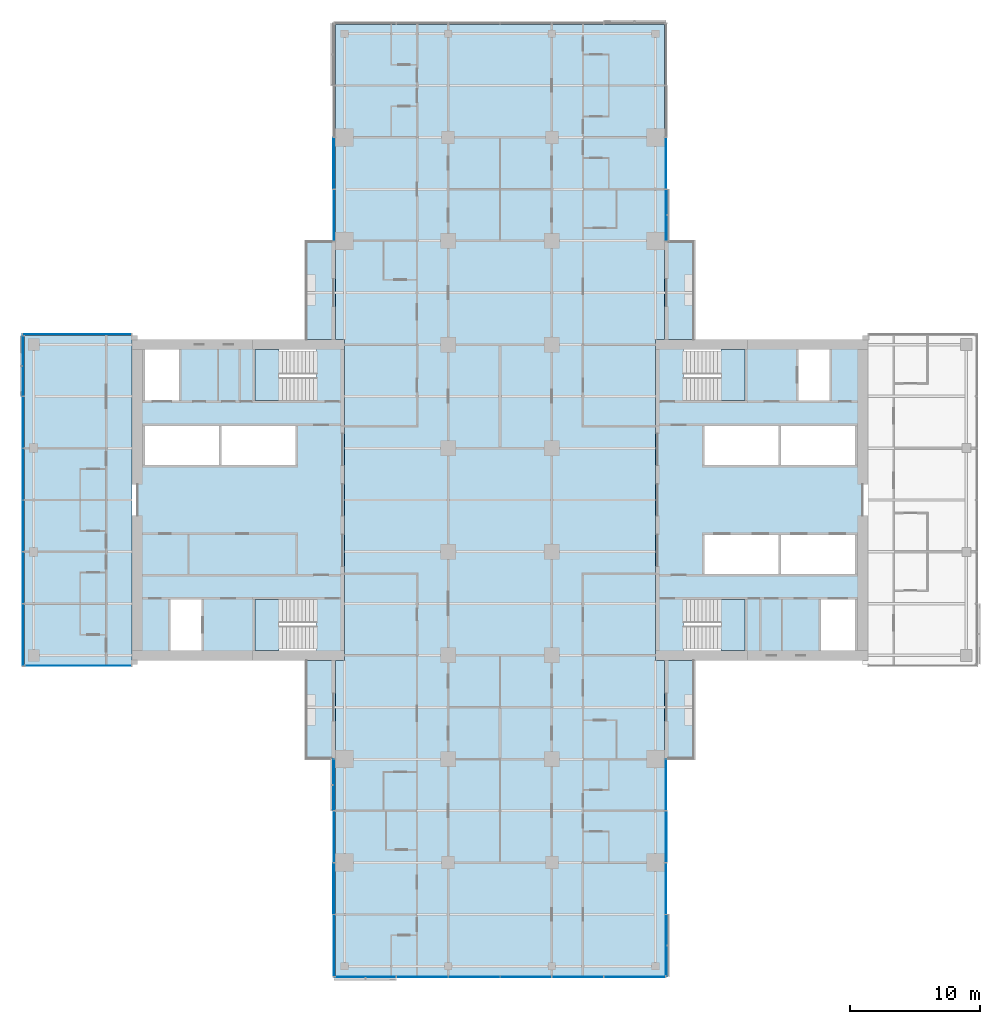
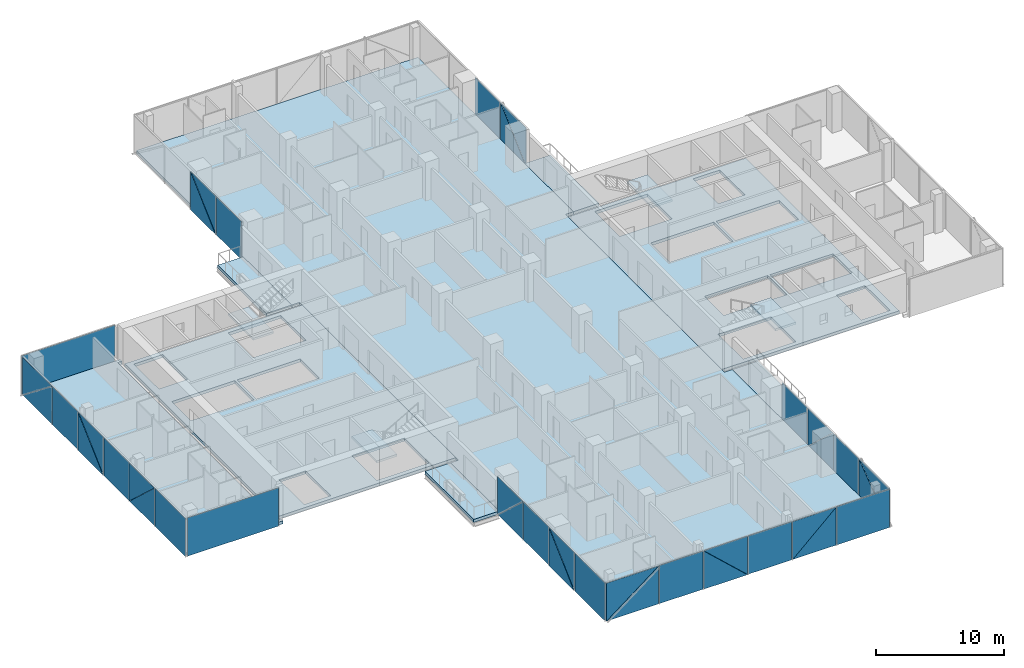
# One storey, part 13 of 27: 38 plates, 12 slabs, 12 elements without a shape of their own.
"""IFC4 building model written with IfcOpenShell, lengths in metres."""

from ifc_helpers import new_model, si_unit, direction, frame, origin, place, context, subcontext, project, spatial, polyline, outline, extrude, material, layer, layer_set, type_object, element, aggregate, save


model = new_model("IFC4")

# Units and contexts
model_context = context("Model", 3, precision=1e-05, world=origin(), true_north=direction((0.0, 1.0)))
body_context = subcontext(model_context, "Body", "Model", "MODEL_VIEW")
ifc_project = project(units=[si_unit("LENGTHUNIT", "METRE"), si_unit("AREAUNIT", "SQUARE_METRE"), si_unit("VOLUMEUNIT", "CUBIC_METRE"), si_unit("PLANEANGLEUNIT", "RADIAN"), si_unit("MASSUNIT", "GRAM", prefix="KILO")], contexts=[model_context])

# Site, building, storey
site_placement = place(None, origin())
site = spatial("IfcSite", under=ifc_project, at=site_placement, CompositionType="ELEMENT")
building_placement = place(site_placement, origin())
building = spatial("IfcBuilding", under=site, at=building_placement, Name="Crosswind Convention Tower", CompositionType="ELEMENT")
storey_placement = place(building_placement, frame((0.0, 0.0, 79.39990234375)))
storey = spatial("IfcBuildingStorey", under=building, at=storey_placement, Name="L14", CompositionType="ELEMENT", Elevation=79.39990234375)

# Slabs
ifc_material_1 = material(Name="Concrete C40/50", Category="concrete")
ifc_layer_1 = layer(ifc_material_1, 0.280029296875)
ifc_layer_set_1 = layer_set([ifc_layer_1], Name="Concrete C40/50")
slab_type_1 = type_object("IfcSlabType", Name="BALCONY SLAB 280", PredefinedType="USERDEFINED", material=ifc_layer_set_1)
slab_1_placement = place(storey_placement, frame((0.0, 0.0, -0.27978515625)))
element("IfcSlab", 1, at=slab_1_placement, inside=storey, type_object=slab_type_1, Name="BALCONY L14 N-E.1-1", ObjectType="BALCONY", PredefinedType="USERDEFINED", context=body_context, shape_type="SweptSolid", body=[
    extrude(outline(polyline([(137.699951171875, 112.39990234375), (137.699951171875, 120.0), (140.0, 120.0), (140.0, 112.39990234375), (137.699951171875, 112.39990234375)])), origin(), (0.0, 0.0, 1.0), 0.27978515625),
])
slab_2_placement = place(storey_placement, frame((0.0, 0.0, -0.27978515625)))
element("IfcSlab", 2, at=slab_2_placement, inside=storey, type_object=slab_type_1, Name="BALCONY L14 N-W.1-3", ObjectType="BALCONY", PredefinedType="USERDEFINED", context=body_context, shape_type="SweptSolid", body=[
    extrude(outline(polyline([(112.300048828125, 120.0), (112.300048828125, 112.39990234375), (110.0, 112.39990234375), (110.0, 120.0), (112.300048828125, 120.0)])), origin(), (0.0, 0.0, 1.0), 0.27978515625),
])
slab_3_placement = place(storey_placement, frame((0.0, 0.0, -0.27978515625)))
element("IfcSlab", 3, at=slab_3_placement, inside=storey, type_object=slab_type_1, Name="BALCONY L14 S-W.1-1", ObjectType="BALCONY", PredefinedType="USERDEFINED", context=body_context, shape_type="SweptSolid", body=[
    extrude(outline(polyline([(112.300048828125, 87.60009765625), (112.300048828125, 80.0), (110.0, 80.0), (110.0, 87.60009765625), (112.300048828125, 87.60009765625)])), origin(), (0.0, 0.0, 1.0), 0.27978515625),
])
slab_4_placement = place(storey_placement, frame((0.0, 0.0, -0.27978515625)))
element("IfcSlab", 4, at=slab_4_placement, inside=storey, type_object=slab_type_1, Name="BALCONY L14 S-E.1-3", ObjectType="BALCONY", PredefinedType="USERDEFINED", context=body_context, shape_type="SweptSolid", body=[
    extrude(outline(polyline([(137.699951171875, 80.0), (137.699951171875, 87.60009765625), (140.0, 87.60009765625), (140.0, 80.0), (137.699951171875, 80.0)])), origin(), (0.0, 0.0, 1.0), 0.27978515625),
])
ifc_layer_2 = layer(ifc_material_1, 0.280029296875)
ifc_layer_set_2 = layer_set([ifc_layer_2], Name="Concrete C40/50")
slab_type_2 = type_object("IfcSlabType", Name="Composite floor slab 280", PredefinedType="FLOOR", material=ifc_layer_set_2)
slab_5_placement = place(storey_placement, frame((0.0, 0.0, -0.27978515625)))
element("IfcSlab", 5, at=slab_5_placement, inside=storey, type_object=slab_type_2, Name="Floor slab L14 part 1", PredefinedType="FLOOR", context=body_context, shape_type="SweptSolid", body=[
    extrude(outline(polyline([(97.0, 87.300048828125), (89.0, 87.300048828125), (88.300048828125, 87.300048828125), (88.300048828125, 88.0), (88.300048828125, 112.0), (88.300048828125, 112.699951171875), (89.0, 112.699951171875), (97.0, 112.699951171875), (97.0, 112.39990234375), (96.60009765625, 112.39990234375), (96.60009765625, 87.60009765625), (97.0, 87.60009765625), (97.0, 87.300048828125)])), origin(), (0.0, 0.0, 1.0), 0.27978515625),
])
slab_6_placement = place(storey_placement, frame((0.0, 0.0, -0.27978515625)))
element("IfcSlab", 6, at=slab_6_placement, inside=storey, type_object=slab_type_2, Name="Floor slab L14 part 2", PredefinedType="FLOOR", context=body_context, shape_type="SweptSolid", body=[
    extrude(outline(polyline([(112.300048828125, 87.60009765625), (113.0, 87.60009765625), (113.0, 112.39990234375), (112.300048828125, 112.39990234375), (112.300048828125, 136.0), (112.300048828125, 136.699951171875), (113.0, 136.699951171875), (137.0, 136.699951171875), (137.699951171875, 136.699951171875), (137.699951171875, 136.0), (137.699951171875, 112.39990234375), (137.0, 112.39990234375), (137.0, 87.60009765625), (137.699951171875, 87.60009765625), (137.699951171875, 64.0), (137.699951171875, 63.300048828125), (137.0, 63.300048828125), (113.0, 63.300048828125), (112.300048828125, 63.300048828125), (112.300048828125, 64.0), (112.300048828125, 87.60009765625)])), origin(), (0.0, 0.0, 1.0), 0.27978515625),
])
ifc_layer_3 = layer(ifc_material_1, 0.280029296875)
ifc_layer_set_3 = layer_set([ifc_layer_3], Name="Concrete C40/50")
slab_type_3 = type_object("IfcSlabType", Name="Concrete core floor slab 280", PredefinedType="FLOOR", material=ifc_layer_set_3)
slab_7_placement = place(storey_placement, frame((0.0, 0.0, -0.27978515625)))
element("IfcSlab", 7, at=slab_7_placement, inside=storey, type_object=slab_type_3, Name="Core floor slab E L14", PredefinedType="FLOOR", context=body_context, shape_type="SweptSolid", body=[
    extrude(outline(polyline([(137.0, 88.0), (153.0, 88.0), (153.0, 112.0), (137.0, 112.0), (137.0, 88.0)]), holes=[polyline([(146.5, 102.699951171875), (146.5, 105.699951171875), (140.800048828125, 105.699951171875), (140.800048828125, 102.699951171875), (146.5, 102.699951171875)]), polyline([(152.39990234375, 102.699951171875), (152.39990234375, 105.699951171875), (146.699951171875, 105.699951171875), (146.699951171875, 102.699951171875), (152.39990234375, 102.699951171875)]), polyline([(146.5, 94.300048828125), (146.5, 97.300048828125), (140.800048828125, 97.300048828125), (140.800048828125, 94.300048828125), (146.5, 94.300048828125)]), polyline([(152.39990234375, 94.300048828125), (152.39990234375, 97.300048828125), (146.699951171875, 97.300048828125), (146.699951171875, 94.300048828125), (152.39990234375, 94.300048828125)]), polyline([(150.449951171875, 107.699951171875), (150.449951171875, 111.60009765625), (148.050048828125, 111.60009765625), (148.050048828125, 107.699951171875), (150.449951171875, 107.699951171875)]), polyline([(152.39990234375, 88.39990234375), (152.39990234375, 92.300048828125), (149.800048828125, 92.300048828125), (149.800048828125, 88.39990234375), (152.39990234375, 88.39990234375)]), polyline([(143.89990234375, 107.699951171875), (143.89990234375, 111.60009765625), (139.14990234375, 111.60009765625), (139.14990234375, 107.699951171875), (143.89990234375, 107.699951171875)]), polyline([(143.89990234375, 88.39990234375), (143.89990234375, 92.300048828125), (139.14990234375, 92.300048828125), (139.14990234375, 88.39990234375), (143.89990234375, 88.39990234375)])]), origin(), (0.0, 0.0, 1.0), 0.27978515625),
])
slab_8_placement = place(storey_placement, frame((0.0, 0.0, -0.27978515625)))
element("IfcSlab", 8, at=slab_8_placement, inside=storey, type_object=slab_type_3, Name="Core floor slab W L14", PredefinedType="FLOOR", context=body_context, shape_type="SweptSolid", body=[
    extrude(outline(polyline([(97.0, 88.0), (113.0, 88.0), (113.0, 112.0), (97.0, 112.0), (97.0, 88.0)]), holes=[polyline([(109.199951171875, 102.699951171875), (109.199951171875, 105.699951171875), (103.5, 105.699951171875), (103.5, 102.699951171875), (109.199951171875, 102.699951171875)]), polyline([(103.300048828125, 102.699951171875), (103.300048828125, 105.699951171875), (97.60009765625, 105.699951171875), (97.60009765625, 102.699951171875), (103.300048828125, 102.699951171875)]), polyline([(101.949951171875, 88.39990234375), (101.949951171875, 92.300048828125), (99.550048828125, 92.300048828125), (99.550048828125, 88.39990234375), (101.949951171875, 88.39990234375)]), polyline([(100.199951171875, 107.699951171875), (100.199951171875, 111.60009765625), (97.60009765625, 111.60009765625), (97.60009765625, 107.699951171875), (100.199951171875, 107.699951171875)]), polyline([(110.85009765625, 88.39990234375), (110.85009765625, 92.300048828125), (106.10009765625, 92.300048828125), (106.10009765625, 88.39990234375), (110.85009765625, 88.39990234375)]), polyline([(110.85009765625, 107.699951171875), (110.85009765625, 111.60009765625), (106.10009765625, 111.60009765625), (106.10009765625, 107.699951171875), (110.85009765625, 107.699951171875)])]), origin(), (0.0, 0.0, 1.0), 0.27978515625),
])

# Stair, slab
stair_type = type_object("IfcStairType", Name="Exit stair 1800 wide, 2 flights of 11 risers", PredefinedType="HALF_TURN_STAIR", material=ifc_material_1)
stair_1_placement = place(storey_placement, origin())
stair_1 = element("IfcStair", 9, at=stair_1_placement, inside=storey, type_object=stair_type, Name="Exit stair ST1 L14", ObjectType="ST5", PredefinedType="HALF_TURN_STAIR")
ifc_layer_4 = layer(ifc_material_1, 0.199951171875)
ifc_layer_set_4 = layer_set([ifc_layer_4], Name="Concrete C40/50")
slab_type_4 = type_object("IfcSlabType", Name="Stair landing 200", PredefinedType="LANDING", material=ifc_layer_set_4)
slab_9_placement = place(storey_placement, frame((0.0, 0.0, 1.650146484375)))
slab_9 = element("IfcSlab", 10, at=slab_9_placement, type_object=slab_type_4, Name="ST1 landing 1", PredefinedType="LANDING", context=body_context, shape_type="SweptSolid", body=[
    extrude(outline(polyline([(143.89990234375, 107.699951171875), (143.89990234375, 111.60009765625), (142.050048828125, 111.60009765625), (142.050048828125, 107.699951171875), (143.89990234375, 107.699951171875)])), origin(), (0.0, 0.0, 1.0), 0.199951171875),
])
aggregate(stair_1, [slab_9])

stair_2_placement = place(storey_placement, origin())
stair_2 = element("IfcStair", 11, at=stair_2_placement, inside=storey, type_object=stair_type, Name="Exit stair ST2 L14", ObjectType="ST5", PredefinedType="HALF_TURN_STAIR")
slab_10_placement = place(storey_placement, frame((0.0, 0.0, 1.650146484375)))
slab_10 = element("IfcSlab", 12, at=slab_10_placement, type_object=slab_type_4, Name="ST2 landing 1", PredefinedType="LANDING", context=body_context, shape_type="SweptSolid", body=[
    extrude(outline(polyline([(143.89990234375, 88.39990234375), (143.89990234375, 92.300048828125), (142.050048828125, 92.300048828125), (142.050048828125, 88.39990234375), (143.89990234375, 88.39990234375)])), origin(), (0.0, 0.0, 1.0), 0.199951171875),
])
aggregate(stair_2, [slab_10])

stair_3_placement = place(storey_placement, origin())
stair_3 = element("IfcStair", 13, at=stair_3_placement, inside=storey, type_object=stair_type, Name="Exit stair ST3 L14", ObjectType="ST5", PredefinedType="HALF_TURN_STAIR")
slab_11_placement = place(storey_placement, frame((0.0, 0.0, 1.650146484375)))
slab_11 = element("IfcSlab", 14, at=slab_11_placement, type_object=slab_type_4, Name="ST3 landing 1", PredefinedType="LANDING", context=body_context, shape_type="SweptSolid", body=[
    extrude(outline(polyline([(107.949951171875, 88.39990234375), (107.949951171875, 92.300048828125), (106.10009765625, 92.300048828125), (106.10009765625, 88.39990234375), (107.949951171875, 88.39990234375)])), origin(), (0.0, 0.0, 1.0), 0.199951171875),
])
aggregate(stair_3, [slab_11])

stair_4_placement = place(storey_placement, origin())
stair_4 = element("IfcStair", 15, at=stair_4_placement, inside=storey, type_object=stair_type, Name="Exit stair ST4 L14", ObjectType="ST5", PredefinedType="HALF_TURN_STAIR")
slab_12_placement = place(storey_placement, frame((0.0, 0.0, 1.650146484375)))
slab_12 = element("IfcSlab", 16, at=slab_12_placement, type_object=slab_type_4, Name="ST4 landing 1", PredefinedType="LANDING", context=body_context, shape_type="SweptSolid", body=[
    extrude(outline(polyline([(107.949951171875, 107.699951171875), (107.949951171875, 111.60009765625), (106.10009765625, 111.60009765625), (106.10009765625, 107.699951171875), (107.949951171875, 107.699951171875)])), origin(), (0.0, 0.0, 1.0), 0.199951171875),
])
aggregate(stair_4, [slab_12])

# Curtain wall, plate
ifc_material_2 = material(Name="Aluminium unitised curtain wall", Category="aluminium")
curtain_wall_type_1 = type_object("IfcCurtainWallType", Name="CORE END SLOT WALL 160", PredefinedType="USERDEFINED", material=ifc_material_2)
curtain_wall_1_placement = place(storey_placement, origin())
curtain_wall_1 = element("IfcCurtainWall", 17, at=curtain_wall_1_placement, inside=storey, type_object=curtain_wall_type_1, Name="CW6 L14 W-N.2-1 slot", ObjectType="UNITISED", PredefinedType="USERDEFINED")
ifc_material_3 = material(Name="Laminated insulating glass unit", Category="glass")
ifc_layer_5 = layer(ifc_material_3, 0.02587890625)
ifc_layer_set_5 = layer_set([ifc_layer_5], Name="TRIANGULAR GLASS PANEL 26")
plate_type_1 = type_object("IfcPlateType", Name="TRIANGULAR GLASS PANEL 26", PredefinedType="CURTAIN_PANEL", material=ifc_layer_set_5)
plate_1_placement = place(storey_placement, frame((96.550048828125, 112.806640625, -0.27978515625), z_axis=(0.0, 0.999999919464, 0.00040133776), x_axis=(-1.0, 0.0, 0.0)))
plate_1 = element("IfcPlate", 18, at=plate_1_placement, type_object=plate_type_1, Name="CW6 panel 1.1", PredefinedType="CURTAIN_PANEL", context=body_context, shape_type="SweptSolid", body=[
    extrude(outline(polyline([(0.0, 0.0), (8.400146484375, 0.0), (8.400146484375, 3.649902637698567), (0.0, 3.649902637698567), (0.0, 0.0)])), origin(), (0.0, 0.0, -1.0), 0.02587890625),
])
aggregate(curtain_wall_1, [plate_1])

curtain_wall_2_placement = place(storey_placement, origin())
curtain_wall_2 = element("IfcCurtainWall", 19, at=curtain_wall_2_placement, inside=storey, type_object=curtain_wall_type_1, Name="CW6 L14 W-S.1-1 slot", ObjectType="UNITISED", PredefinedType="USERDEFINED")
plate_2_placement = place(storey_placement, frame((88.35009765625, 87.193359375, -0.27978515625), z_axis=(0.0, -0.999999919464, 0.00040133776), x_axis=(1.0, 0.0, 0.0)))
plate_2 = element("IfcPlate", 20, at=plate_2_placement, type_object=plate_type_1, Name="CW6 panel 1.1", PredefinedType="CURTAIN_PANEL", context=body_context, shape_type="SweptSolid", body=[
    extrude(outline(polyline([(0.0, 0.0), (8.199951171875, 0.0), (8.199951171875, 3.6499026376985664), (0.0, 3.6499026376985664), (0.0, 0.0)])), origin(), (0.0, 0.0, -1.0), 0.02587890625),
])
aggregate(curtain_wall_2, [plate_2])

# Curtain wall, plates
curtain_wall_type_2 = type_object("IfcCurtainWallType", Name="HOTEL UNITISED WALL 200", PredefinedType="USERDEFINED", material=ifc_material_2)
curtain_wall_3_placement = place(storey_placement, origin())
curtain_wall_3 = element("IfcCurtainWall", 21, at=curtain_wall_3_placement, inside=storey, type_object=curtain_wall_type_2, Name="CW2 L14 N-E 1", ObjectType="UNITISED", PredefinedType="USERDEFINED")
ifc_layer_6 = layer(ifc_material_3, 0.028076171875)
ifc_layer_set_6 = layer_set([ifc_layer_6], Name="TRIANGULAR GLASS PANEL 28")
plate_type_2 = type_object("IfcPlateType", Name="TRIANGULAR GLASS PANEL 28", PredefinedType="CURTAIN_PANEL", material=ifc_layer_set_6)
plate_3_placement = place(storey_placement, frame((137.82861328125, 123.967529296875, -0.27978515625), z_axis=(0.999999943186, 0.0, 0.000337086208), x_axis=(-0.000337086208, 0.0, 0.999999943186)))
plate_3 = element("IfcPlate", 22, at=plate_3_placement, type_object=plate_type_2, Name="CW2 panel 1.1", PredefinedType="CURTAIN_PANEL", context=body_context, shape_type="SweptSolid", body=[
    extrude(outline(polyline([(0.0, 0.0), (3.6213380963660997, 0.0), (0.0, 3.920410156250001), (0.0, 0.0)])), origin(), (0.0, 0.0, -1.0), 0.028076171875),
])
plate_4_placement = place(storey_placement, frame((137.857177734375, 120.032470703125, 3.35498046875), z_axis=(0.999999918188, 0.0, 0.000404503439), x_axis=(0.000404503439, 0.0, -0.999999918188)))
plate_4 = element("IfcPlate", 23, at=plate_4_placement, type_object=plate_type_2, Name="CW2 panel 1.2", PredefinedType="CURTAIN_PANEL", context=body_context, shape_type="SweptSolid", body=[
    extrude(outline(polyline([(0.0, 0.0), (3.6213381868921797, 0.0), (0.0, 3.92041015625), (0.0, 0.0)])), origin(), (0.0, 0.0, -1.0), 0.028076171875),
])
plate_5_placement = place(storey_placement, frame((137.82861328125, 124.032470703125, -0.27978515625), z_axis=(0.999999943605, 0.0, 0.000335840927), x_axis=(0.0, 1.0, 0.0)))
plate_5 = element("IfcPlate", 24, at=plate_5_placement, type_object=plate_type_2, Name="CW2 panel 2.1", PredefinedType="CURTAIN_PANEL", context=body_context, shape_type="SweptSolid", body=[
    extrude(outline(polyline([(0.0, 0.0), (3.93505859375, 0.0), (3.93505859375, 3.63476582998104), (0.0, 3.63476582998104), (0.0, 0.0)])), origin(), (0.0, 0.0, -1.0), 0.028076171875),
])
aggregate(curtain_wall_3, [plate_3, plate_4, plate_5])

curtain_wall_4_placement = place(storey_placement, origin())
curtain_wall_4 = element("IfcCurtainWall", 25, at=curtain_wall_4_placement, inside=storey, type_object=curtain_wall_type_2, Name="CW2 L14 N-W 1", ObjectType="UNITISED", PredefinedType="USERDEFINED")
plate_6_placement = place(storey_placement, frame((112.172607421875, 124.032470703125, 3.35498046875), z_axis=(-0.999999943186, 0.0, 0.000337086208), x_axis=(0.0, 1.0, 0.0)))
plate_6 = element("IfcPlate", 26, at=plate_6_placement, type_object=plate_type_2, Name="CW2 panel 3.1", PredefinedType="CURTAIN_PANEL", context=body_context, shape_type="SweptSolid", body=[
    extrude(outline(polyline([(0.0, 0.0), (3.92041015625, 0.0), (0.0, 3.6213380963660997), (0.0, 0.0)])), origin(), (0.0, 0.0, -1.0), 0.028076171875),
])
plate_7_placement = place(storey_placement, frame((112.141357421875, 127.967529296875, -0.27978515625), z_axis=(-0.999999918188, 0.0, 0.000404503439), x_axis=(0.0, -1.0, 0.0)))
plate_7 = element("IfcPlate", 27, at=plate_7_placement, type_object=plate_type_2, Name="CW2 panel 3.2", PredefinedType="CURTAIN_PANEL", context=body_context, shape_type="SweptSolid", body=[
    extrude(outline(polyline([(0.0, 0.0), (3.92041015625, 0.0), (0.0, 3.6213381868921792), (0.0, 0.0)])), origin(), (0.0, 0.0, -1.0), 0.028076171875),
])
plate_8_placement = place(storey_placement, frame((112.17138671875, 123.967529296875, -0.27978515625), z_axis=(-0.999999943605, 0.0, 0.000335840927), x_axis=(0.0, -1.0, 0.0)))
plate_8 = element("IfcPlate", 28, at=plate_8_placement, type_object=plate_type_2, Name="CW2 panel 4.1", PredefinedType="CURTAIN_PANEL", context=body_context, shape_type="SweptSolid", body=[
    extrude(outline(polyline([(0.0, 0.0), (3.93505859375, 0.0), (3.93505859375, 3.63476582998104), (0.0, 3.63476582998104), (0.0, 0.0)])), origin(), (0.0, 0.0, -1.0), 0.028076171875),
])
aggregate(curtain_wall_4, [plate_6, plate_7, plate_8])

curtain_wall_5_placement = place(storey_placement, origin())
curtain_wall_5 = element("IfcCurtainWall", 29, at=curtain_wall_5_placement, inside=storey, type_object=curtain_wall_type_2, Name="CW2 L14 W-TIP 1", ObjectType="UNITISED", PredefinedType="USERDEFINED")
plate_9_placement = place(storey_placement, frame((88.17138671875, 108.032470703125, -0.27978515625), z_axis=(-0.999999943209, 0.0, 0.000337018045), x_axis=(0.000337018045, 0.0, 0.999999943209)))
plate_9 = element("IfcPlate", 30, at=plate_9_placement, type_object=plate_type_2, Name="CW2 panel 1.1", PredefinedType="CURTAIN_PANEL", context=body_context, shape_type="SweptSolid", body=[
    extrude(outline(polyline([(0.0, 0.0), (3.622070518199496, 0.0), (0.0, 4.58642578125), (0.0, 0.0)])), origin(), (0.0, 0.0, -1.0), 0.028076171875),
])
plate_10_placement = place(storey_placement, frame((88.142822265625, 112.635009765625, 3.35498046875), z_axis=(-0.999999918222, 0.0, 0.000404421644), x_axis=(-0.000404421644, 0.0, -0.999999918222)))
plate_10 = element("IfcPlate", 31, at=plate_10_placement, type_object=plate_type_2, Name="CW2 panel 1.2", PredefinedType="CURTAIN_PANEL", context=body_context, shape_type="SweptSolid", body=[
    extrude(outline(polyline([(0.0, 0.0), (3.6220706087072707, 0.0), (0.0, 4.586425781249999), (0.0, 0.0)])), origin(), (0.0, 0.0, -1.0), 0.028076171875),
])
plate_11_placement = place(storey_placement, frame((88.17138671875, 107.967529296875, -0.27978515625), z_axis=(-0.999999943605, 0.0, 0.000335840927), x_axis=(0.0, -1.0, 0.0)))
plate_11 = element("IfcPlate", 32, at=plate_11_placement, type_object=plate_type_2, Name="CW2 panel 2.1", PredefinedType="CURTAIN_PANEL", context=body_context, shape_type="SweptSolid", body=[
    extrude(outline(polyline([(0.0, 0.0), (3.93505859375, 0.0), (3.93505859375, 3.63476582998104), (0.0, 3.63476582998104), (0.0, 0.0)])), origin(), (0.0, 0.0, -1.0), 0.028076171875),
])
plate_12_placement = place(storey_placement, frame((88.172607421875, 100.032470703125, 3.35498046875), z_axis=(-0.999999943186, 0.0, 0.000337086208), x_axis=(0.0, 1.0, 0.0)))
plate_12 = element("IfcPlate", 33, at=plate_12_placement, type_object=plate_type_2, Name="CW2 panel 3.1", PredefinedType="CURTAIN_PANEL", context=body_context, shape_type="SweptSolid", body=[
    extrude(outline(polyline([(0.0, 0.0), (3.92041015625, 0.0), (0.0, 3.6213380963660997), (0.0, 0.0)])), origin(), (0.0, 0.0, -1.0), 0.028076171875),
])
plate_13_placement = place(storey_placement, frame((88.141357421875, 103.967529296875, -0.27978515625), z_axis=(-0.999999918188, 0.0, 0.000404503439), x_axis=(0.0, -1.0, 0.0)))
plate_13 = element("IfcPlate", 34, at=plate_13_placement, type_object=plate_type_2, Name="CW2 panel 3.2", PredefinedType="CURTAIN_PANEL", context=body_context, shape_type="SweptSolid", body=[
    extrude(outline(polyline([(0.0, 0.0), (3.92041015625, 0.0), (0.0, 3.6213381868921792), (0.0, 0.0)])), origin(), (0.0, 0.0, -1.0), 0.028076171875),
])
plate_14_placement = place(storey_placement, frame((88.17138671875, 99.967529296875, -0.27978515625), z_axis=(-0.999999943605, 0.0, 0.000335840927), x_axis=(0.0, -1.0, 0.0)))
plate_14 = element("IfcPlate", 35, at=plate_14_placement, type_object=plate_type_2, Name="CW2 panel 4.1", PredefinedType="CURTAIN_PANEL", context=body_context, shape_type="SweptSolid", body=[
    extrude(outline(polyline([(0.0, 0.0), (3.93505859375, 0.0), (3.93505859375, 3.63476582998104), (0.0, 3.63476582998104), (0.0, 0.0)])), origin(), (0.0, 0.0, -1.0), 0.028076171875),
])
plate_15_placement = place(storey_placement, frame((88.17138671875, 92.032470703125, -0.27978515625), z_axis=(-0.999999943186, 0.0, 0.000337086208), x_axis=(0.000337086208, 0.0, 0.999999943186)))
plate_15 = element("IfcPlate", 36, at=plate_15_placement, type_object=plate_type_2, Name="CW2 panel 5.1", PredefinedType="CURTAIN_PANEL", context=body_context, shape_type="SweptSolid", body=[
    extrude(outline(polyline([(0.0, 0.0), (3.6213380963660997, 0.0), (0.0, 3.920410156250001), (0.0, 0.0)])), origin(), (0.0, 0.0, -1.0), 0.028076171875),
])
plate_16_placement = place(storey_placement, frame((88.142822265625, 95.967529296875, 3.35498046875), z_axis=(-0.999999918188, 0.0, 0.000404503439), x_axis=(-0.000404503439, 0.0, -0.999999918188)))
plate_16 = element("IfcPlate", 37, at=plate_16_placement, type_object=plate_type_2, Name="CW2 panel 5.2", PredefinedType="CURTAIN_PANEL", context=body_context, shape_type="SweptSolid", body=[
    extrude(outline(polyline([(0.0, 0.0), (3.6213381868921797, 0.0), (0.0, 3.92041015625), (0.0, 0.0)])), origin(), (0.0, 0.0, -1.0), 0.028076171875),
])
plate_17_placement = place(storey_placement, frame((88.17138671875, 91.967529296875, -0.27978515625), z_axis=(-0.999999943605, 0.0, 0.000335840927), x_axis=(0.0, -1.0, 0.0)))
plate_17 = element("IfcPlate", 38, at=plate_17_placement, type_object=plate_type_2, Name="CW2 panel 6.1", PredefinedType="CURTAIN_PANEL", context=body_context, shape_type="SweptSolid", body=[
    extrude(outline(polyline([(0.0, 0.0), (4.762451171875, 0.0), (4.762451171875, 3.63476582998104), (0.0, 3.63476582998104), (0.0, 0.0)])), origin(), (0.0, 0.0, -1.0), 0.028076171875),
])
aggregate(curtain_wall_5, [plate_9, plate_10, plate_11, plate_12, plate_13, plate_14, plate_15, plate_16, plate_17])

curtain_wall_6_placement = place(storey_placement, origin())
curtain_wall_6 = element("IfcCurtainWall", 39, at=curtain_wall_6_placement, inside=storey, type_object=curtain_wall_type_2, Name="CW2 L14 S-W 1", ObjectType="UNITISED", PredefinedType="USERDEFINED")
plate_18_placement = place(storey_placement, frame((112.17138671875, 76.032470703125, -0.27978515625), z_axis=(-0.999999943186, 0.0, 0.000337086208), x_axis=(0.000337086208, 0.0, 0.999999943186)))
plate_18 = element("IfcPlate", 40, at=plate_18_placement, type_object=plate_type_2, Name="CW2 panel 1.1", PredefinedType="CURTAIN_PANEL", context=body_context, shape_type="SweptSolid", body=[
    extrude(outline(polyline([(0.0, 0.0), (3.6213380963660997, 0.0), (0.0, 3.920410156250001), (0.0, 0.0)])), origin(), (0.0, 0.0, -1.0), 0.028076171875),
])
plate_19_placement = place(storey_placement, frame((112.142822265625, 79.967529296875, 3.35498046875), z_axis=(-0.999999918188, 0.0, 0.000404503439), x_axis=(-0.000404503439, 0.0, -0.999999918188)))
plate_19 = element("IfcPlate", 41, at=plate_19_placement, type_object=plate_type_2, Name="CW2 panel 1.2", PredefinedType="CURTAIN_PANEL", context=body_context, shape_type="SweptSolid", body=[
    extrude(outline(polyline([(0.0, 0.0), (3.6213381868921797, 0.0), (0.0, 3.92041015625), (0.0, 0.0)])), origin(), (0.0, 0.0, -1.0), 0.028076171875),
])
plate_20_placement = place(storey_placement, frame((112.17138671875, 75.967529296875, -0.27978515625), z_axis=(-0.999999943605, 0.0, 0.000335840927), x_axis=(0.0, -1.0, 0.0)))
plate_20 = element("IfcPlate", 42, at=plate_20_placement, type_object=plate_type_2, Name="CW2 panel 2.1", PredefinedType="CURTAIN_PANEL", context=body_context, shape_type="SweptSolid", body=[
    extrude(outline(polyline([(0.0, 0.0), (3.93505859375, 0.0), (3.93505859375, 3.63476582998104), (0.0, 3.63476582998104), (0.0, 0.0)])), origin(), (0.0, 0.0, -1.0), 0.028076171875),
])
plate_21_placement = place(storey_placement, frame((112.172607421875, 68.032470703125, 3.35498046875), z_axis=(-0.999999943186, 0.0, 0.000337086208), x_axis=(0.0, 1.0, 0.0)))
plate_21 = element("IfcPlate", 43, at=plate_21_placement, type_object=plate_type_2, Name="CW2 panel 3.1", PredefinedType="CURTAIN_PANEL", context=body_context, shape_type="SweptSolid", body=[
    extrude(outline(polyline([(0.0, 0.0), (3.92041015625, 0.0), (0.0, 3.6213380963660997), (0.0, 0.0)])), origin(), (0.0, 0.0, -1.0), 0.028076171875),
])
plate_22_placement = place(storey_placement, frame((112.141357421875, 71.967529296875, -0.27978515625), z_axis=(-0.999999918188, 0.0, 0.000404503439), x_axis=(0.0, -1.0, 0.0)))
plate_22 = element("IfcPlate", 44, at=plate_22_placement, type_object=plate_type_2, Name="CW2 panel 3.2", PredefinedType="CURTAIN_PANEL", context=body_context, shape_type="SweptSolid", body=[
    extrude(outline(polyline([(0.0, 0.0), (3.92041015625, 0.0), (0.0, 3.6213381868921792), (0.0, 0.0)])), origin(), (0.0, 0.0, -1.0), 0.028076171875),
])
plate_23_placement = place(storey_placement, frame((112.17138671875, 67.967529296875, -0.27978515625), z_axis=(-0.999999943605, 0.0, 0.000335840927), x_axis=(0.0, -1.0, 0.0)))
plate_23 = element("IfcPlate", 45, at=plate_23_placement, type_object=plate_type_2, Name="CW2 panel 4.1", PredefinedType="CURTAIN_PANEL", context=body_context, shape_type="SweptSolid", body=[
    extrude(outline(polyline([(0.0, 0.0), (4.735107421875, 0.0), (4.735107421875, 3.63476582998104), (0.0, 3.63476582998104), (0.0, 0.0)])), origin(), (0.0, 0.0, -1.0), 0.028076171875),
])
aggregate(curtain_wall_6, [plate_18, plate_19, plate_20, plate_21, plate_22, plate_23])

curtain_wall_7_placement = place(storey_placement, origin())
curtain_wall_7 = element("IfcCurtainWall", 46, at=curtain_wall_7_placement, inside=storey, type_object=curtain_wall_type_2, Name="CW2 L14 S-TIP 1", ObjectType="UNITISED", PredefinedType="USERDEFINED")
plate_24_placement = place(storey_placement, frame((116.967529296875, 63.17138671875, -0.27978515625), z_axis=(0.0, -0.999999943217, 0.00033699533), x_axis=(0.0, 0.00033699533, 0.999999943217)))
plate_24 = element("IfcPlate", 47, at=plate_24_placement, type_object=plate_type_2, Name="CW2 panel 1.1", PredefinedType="CURTAIN_PANEL", context=body_context, shape_type="SweptSolid", body=[
    extrude(outline(polyline([(0.0, 0.0), (3.6223146588106325, 0.0), (0.0, 4.718505859374999), (0.0, 0.0)])), origin(), (0.0, 0.0, -1.0), 0.028076171875),
])
plate_25_placement = place(storey_placement, frame((112.232421875, 63.142822265625, 3.35498046875), z_axis=(0.0, -0.999999918233, 0.000404394386), x_axis=(0.0, -0.000404394386, -0.999999918233)))
plate_25 = element("IfcPlate", 48, at=plate_25_placement, type_object=plate_type_2, Name="CW2 panel 1.2", PredefinedType="CURTAIN_PANEL", context=body_context, shape_type="SweptSolid", body=[
    extrude(outline(polyline([(0.0, 0.0), (3.6223147493123067, 0.0), (0.0, 4.71875), (0.0, 0.0)])), origin(), (0.0, 0.0, -1.0), 0.028076171875),
])
plate_26_placement = place(storey_placement, frame((117.032470703125, 63.17138671875, -0.27978515625), z_axis=(0.0, -0.999999943605, 0.000335840927), x_axis=(1.0, 0.0, 0.0)))
plate_26 = element("IfcPlate", 49, at=plate_26_placement, type_object=plate_type_2, Name="CW2 panel 2.1", PredefinedType="CURTAIN_PANEL", context=body_context, shape_type="SweptSolid", body=[
    extrude(outline(polyline([(0.0, 0.0), (3.93505859375, 0.0), (3.93505859375, 3.63476582998104), (0.0, 3.63476582998104), (0.0, 0.0)])), origin(), (0.0, 0.0, -1.0), 0.028076171875),
])
plate_27_placement = place(storey_placement, frame((124.967529296875, 63.172607421875, 3.35498046875), z_axis=(0.0, -0.999999943186, 0.000337086208), x_axis=(-1.0, 0.0, 0.0)))
plate_27 = element("IfcPlate", 50, at=plate_27_placement, type_object=plate_type_2, Name="CW2 panel 3.1", PredefinedType="CURTAIN_PANEL", context=body_context, shape_type="SweptSolid", body=[
    extrude(outline(polyline([(0.0, 0.0), (3.92041015625, 0.0), (0.0, 3.6213380963660997), (0.0, 0.0)])), origin(), (0.0, 0.0, -1.0), 0.028076171875),
])
plate_28_placement = place(storey_placement, frame((121.032470703125, 63.141357421875, -0.27978515625), z_axis=(0.0, -0.999999918188, 0.000404503439), x_axis=(1.0, 0.0, 0.0)))
plate_28 = element("IfcPlate", 51, at=plate_28_placement, type_object=plate_type_2, Name="CW2 panel 3.2", PredefinedType="CURTAIN_PANEL", context=body_context, shape_type="SweptSolid", body=[
    extrude(outline(polyline([(0.0, 0.0), (3.92041015625, 0.0), (0.0, 3.6213381868921792), (0.0, 0.0)])), origin(), (0.0, 0.0, -1.0), 0.028076171875),
])
plate_29_placement = place(storey_placement, frame((125.032470703125, 63.17138671875, -0.27978515625), z_axis=(0.0, -0.999999943605, 0.000335840927), x_axis=(1.0, 0.0, 0.0)))
plate_29 = element("IfcPlate", 52, at=plate_29_placement, type_object=plate_type_2, Name="CW2 panel 4.1", PredefinedType="CURTAIN_PANEL", context=body_context, shape_type="SweptSolid", body=[
    extrude(outline(polyline([(0.0, 0.0), (3.93505859375, 0.0), (3.93505859375, 3.63476582998104), (0.0, 3.63476582998104), (0.0, 0.0)])), origin(), (0.0, 0.0, -1.0), 0.028076171875),
])
plate_30_placement = place(storey_placement, frame((132.967529296875, 63.17138671875, -0.27978515625), z_axis=(0.0, -0.999999943186, 0.000337086208), x_axis=(0.0, 0.000337086208, 0.999999943186)))
plate_30 = element("IfcPlate", 53, at=plate_30_placement, type_object=plate_type_2, Name="CW2 panel 5.1", PredefinedType="CURTAIN_PANEL", context=body_context, shape_type="SweptSolid", body=[
    extrude(outline(polyline([(0.0, 0.0), (3.6213380963660997, 0.0), (0.0, 3.920410156250001), (0.0, 0.0)])), origin(), (0.0, 0.0, -1.0), 0.028076171875),
])
plate_31_placement = place(storey_placement, frame((129.032470703125, 63.142822265625, 3.35498046875), z_axis=(0.0, -0.999999918188, 0.000404503439), x_axis=(0.0, -0.000404503439, -0.999999918188)))
plate_31 = element("IfcPlate", 54, at=plate_31_placement, type_object=plate_type_2, Name="CW2 panel 5.2", PredefinedType="CURTAIN_PANEL", context=body_context, shape_type="SweptSolid", body=[
    extrude(outline(polyline([(0.0, 0.0), (3.6213381868921797, 0.0), (0.0, 3.92041015625), (0.0, 0.0)])), origin(), (0.0, 0.0, -1.0), 0.028076171875),
])
plate_32_placement = place(storey_placement, frame((133.032470703125, 63.17138671875, -0.27978515625), z_axis=(0.0, -0.999999943605, 0.000335840927), x_axis=(1.0, 0.0, 0.0)))
plate_32 = element("IfcPlate", 55, at=plate_32_placement, type_object=plate_type_2, Name="CW2 panel 6.1", PredefinedType="CURTAIN_PANEL", context=body_context, shape_type="SweptSolid", body=[
    extrude(outline(polyline([(0.0, 0.0), (4.735107421875, 0.0), (4.735107421875, 3.63476582998104), (0.0, 3.63476582998104), (0.0, 0.0)])), origin(), (0.0, 0.0, -1.0), 0.028076171875),
])
aggregate(curtain_wall_7, [plate_24, plate_25, plate_26, plate_27, plate_28, plate_29, plate_30, plate_31, plate_32])

curtain_wall_8_placement = place(storey_placement, origin())
curtain_wall_8 = element("IfcCurtainWall", 56, at=curtain_wall_8_placement, inside=storey, type_object=curtain_wall_type_2, Name="CW2 L14 S-E 1", ObjectType="UNITISED", PredefinedType="USERDEFINED")
plate_33_placement = place(storey_placement, frame((137.82861328125, 67.967529296875, -0.27978515625), z_axis=(0.999999943217, 0.0, 0.00033699533), x_axis=(-0.00033699533, 0.0, 0.999999943217)))
plate_33 = element("IfcPlate", 57, at=plate_33_placement, type_object=plate_type_2, Name="CW2 panel 1.1", PredefinedType="CURTAIN_PANEL", context=body_context, shape_type="SweptSolid", body=[
    extrude(outline(polyline([(0.0, 0.0), (3.6223146588106325, 0.0), (0.0, 4.718505859374999), (0.0, 0.0)])), origin(), (0.0, 0.0, -1.0), 0.028076171875),
])
plate_34_placement = place(storey_placement, frame((137.857177734375, 63.232421875, 3.35498046875), z_axis=(0.999999918233, 0.0, 0.000404394386), x_axis=(0.000404394386, 0.0, -0.999999918233)))
plate_34 = element("IfcPlate", 58, at=plate_34_placement, type_object=plate_type_2, Name="CW2 panel 1.2", PredefinedType="CURTAIN_PANEL", context=body_context, shape_type="SweptSolid", body=[
    extrude(outline(polyline([(0.0, 0.0), (3.6223147493123067, 0.0), (0.0, 4.71875), (0.0, 0.0)])), origin(), (0.0, 0.0, -1.0), 0.028076171875),
])
plate_35_placement = place(storey_placement, frame((137.82861328125, 68.032470703125, -0.27978515625), z_axis=(0.999999943605, 0.0, 0.000335840927), x_axis=(0.0, 1.0, 0.0)))
plate_35 = element("IfcPlate", 59, at=plate_35_placement, type_object=plate_type_2, Name="CW2 panel 2.1", PredefinedType="CURTAIN_PANEL", context=body_context, shape_type="SweptSolid", body=[
    extrude(outline(polyline([(0.0, 0.0), (3.93505859375, 0.0), (3.93505859375, 3.63476582998104), (0.0, 3.63476582998104), (0.0, 0.0)])), origin(), (0.0, 0.0, -1.0), 0.028076171875),
])
plate_36_placement = place(storey_placement, frame((137.827392578125, 75.967529296875, 3.35498046875), z_axis=(0.999999943186, 0.0, 0.000337086208), x_axis=(0.0, -1.0, 0.0)))
plate_36 = element("IfcPlate", 60, at=plate_36_placement, type_object=plate_type_2, Name="CW2 panel 3.1", PredefinedType="CURTAIN_PANEL", context=body_context, shape_type="SweptSolid", body=[
    extrude(outline(polyline([(0.0, 0.0), (3.92041015625, 0.0), (0.0, 3.6213380963660997), (0.0, 0.0)])), origin(), (0.0, 0.0, -1.0), 0.028076171875),
])
plate_37_placement = place(storey_placement, frame((137.858642578125, 72.032470703125, -0.27978515625), z_axis=(0.999999918188, 0.0, 0.000404503439), x_axis=(0.0, 1.0, 0.0)))
plate_37 = element("IfcPlate", 61, at=plate_37_placement, type_object=plate_type_2, Name="CW2 panel 3.2", PredefinedType="CURTAIN_PANEL", context=body_context, shape_type="SweptSolid", body=[
    extrude(outline(polyline([(0.0, 0.0), (3.92041015625, 0.0), (0.0, 3.6213381868921792), (0.0, 0.0)])), origin(), (0.0, 0.0, -1.0), 0.028076171875),
])
plate_38_placement = place(storey_placement, frame((137.82861328125, 76.032470703125, -0.27978515625), z_axis=(0.999999943605, 0.0, 0.000335840927), x_axis=(0.0, 1.0, 0.0)))
plate_38 = element("IfcPlate", 62, at=plate_38_placement, type_object=plate_type_2, Name="CW2 panel 4.1", PredefinedType="CURTAIN_PANEL", context=body_context, shape_type="SweptSolid", body=[
    extrude(outline(polyline([(0.0, 0.0), (3.93505859375, 0.0), (3.93505859375, 3.63476582998104), (0.0, 3.63476582998104), (0.0, 0.0)])), origin(), (0.0, 0.0, -1.0), 0.028076171875),
])
aggregate(curtain_wall_8, [plate_33, plate_34, plate_35, plate_36, plate_37, plate_38])

save(model, "model.ifc")
